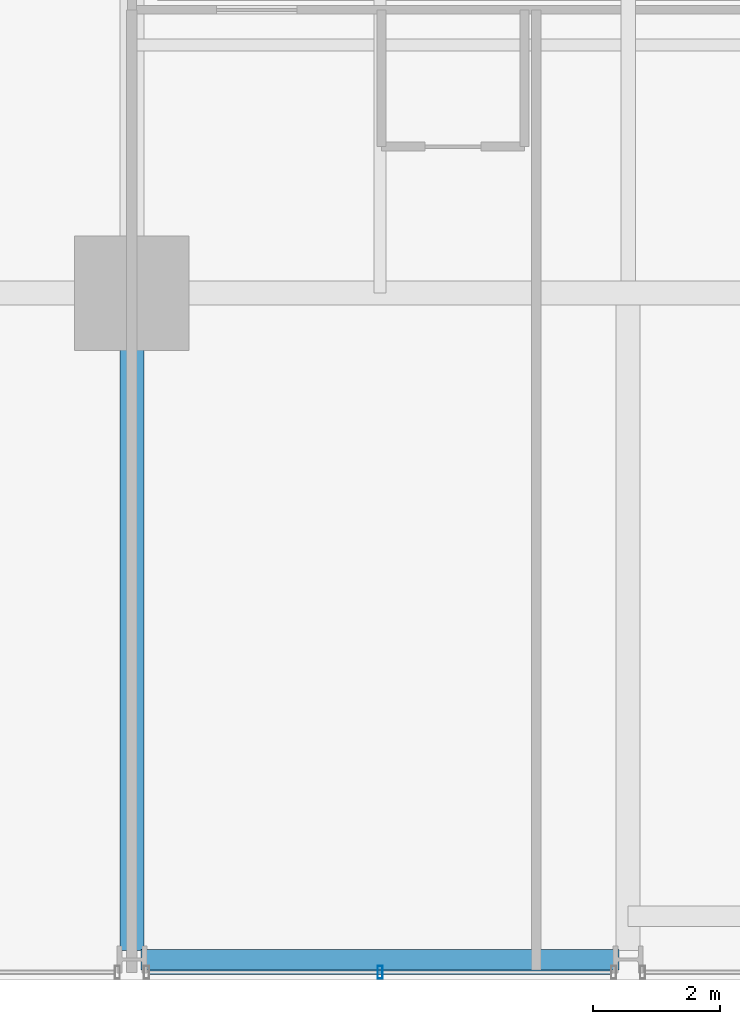
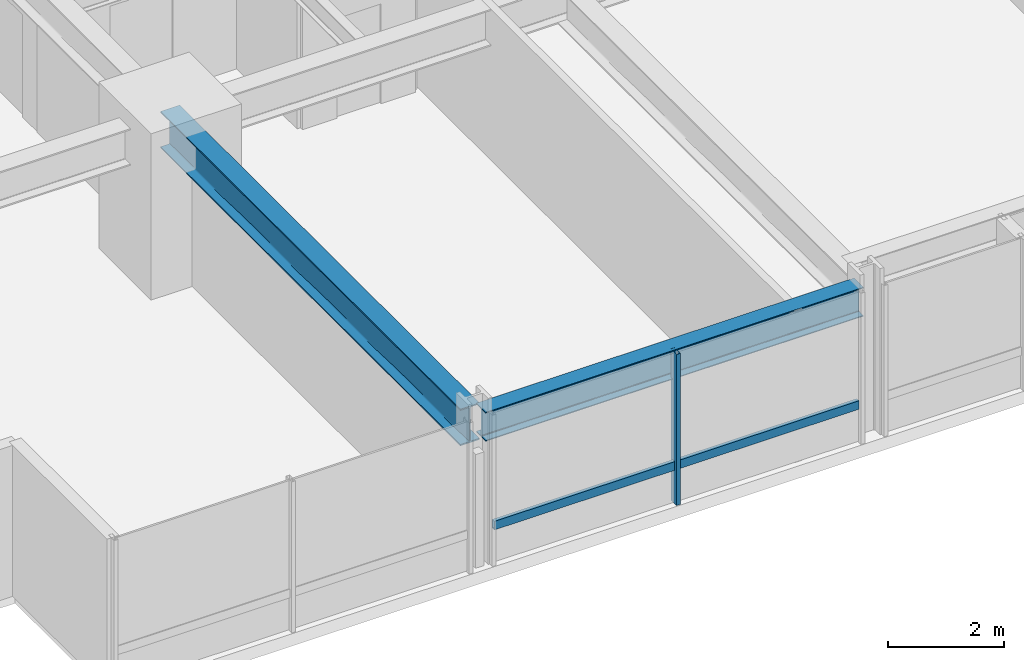
# One storey, part 3 of 37: 2 beams, 2 members, 1 element without a shape of its own.
"""IFC4 building model written with IfcOpenShell, lengths in metres."""

from ifc_helpers import new_model, si_unit, direction, frame, origin, origin_2d, place, context, subcontext, project, spatial, hollow_rectangle, i_section, extrude, material, layer, layer_set, material_profile, profile_set, type_object, element, aggregate, save


model = new_model("IFC4")

# Units and contexts
model_context = context("Model", 3, precision=1e-05, world=origin(), true_north=direction((0.0, 1.0)))
body_context = subcontext(model_context, "Body", "Model", "MODEL_VIEW")
ifc_project = project(units=[si_unit("LENGTHUNIT", "METRE"), si_unit("AREAUNIT", "SQUARE_METRE"), si_unit("VOLUMEUNIT", "CUBIC_METRE"), si_unit("PLANEANGLEUNIT", "RADIAN"), si_unit("MASSUNIT", "GRAM", prefix="KILO")], contexts=[model_context])

# Site, building, storey
site_placement = place(None, origin())
site = spatial("IfcSite", under=ifc_project, at=site_placement, CompositionType="ELEMENT")
building_placement = place(site_placement, origin())
building = spatial("IfcBuilding", under=site, at=building_placement, Name="Drelvath Grand Hotel", CompositionType="ELEMENT")
storey_placement = place(building_placement, frame((0.0, 0.0, 78.699951171875)))
storey = spatial("IfcBuildingStorey", under=building, at=storey_placement, Name="L19", CompositionType="ELEMENT", Elevation=78.699951171875)

# Curtain wall, members
ifc_material_1 = material(Name="Warm Bronze Anodised Aluminium Frame", Category="aluminium")
ifc_layer = layer(ifc_material_1, 0.199951171875)
ifc_layer_set = layer_set([ifc_layer], Name="Warm Bronze Anodised Aluminium Frame")
curtain_wall_type = type_object("IfcCurtainWallType", Name="Stick Curtain Wall CW-02 Warm Bronze Low-Rise", PredefinedType="NOTDEFINED", material=ifc_layer_set)
curtain_wall_placement = place(storey_placement, origin())
curtain_wall = element("IfcCurtainWall", 1, at=curtain_wall_placement, inside=storey, type_object=curtain_wall_type, Name="L19 CW-02 Curtain Wall CW02-L19-SW2", PredefinedType="NOTDEFINED")
ifc_material_profile_1 = material_profile(ifc_material_1, hollow_rectangle(XDim=0.074951171875, YDim=0.179931640625, WallThickness=0.0048828125, at=origin_2d()), Name="HSS180X75X5")
ifc_profile_set_1 = profile_set([ifc_material_profile_1], Name="Warm Bronze Anodised Aluminium Frame")
member_type_1 = type_object("IfcMemberType", Name="Curtain Wall Horizontal Transom CW-02 HSS180X75X5", PredefinedType="USERDEFINED", material=ifc_profile_set_1)
member_1_placement = place(storey_placement, frame((-8.669189453125, 0.1201171875, 0.795166015625), z_axis=(-1.0, 0.0, 0.0), x_axis=(0.0, -1.0, 0.0)))
member_1 = element("IfcMember", 2, at=member_1_placement, type_object=member_type_1, Name="CW02-L19-SW2 Sill Transom", ObjectType="TRANSOM", PredefinedType="USERDEFINED", context=body_context, shape_type="SweptSolid", body=[
    extrude(hollow_rectangle(XDim=0.074951171875, YDim=0.179931640625, WallThickness=0.0048828125, at=origin_2d()), origin(), (0.0, 0.0, 1.0), 7.26171875),
])
ifc_material_profile_2 = material_profile(ifc_material_1, hollow_rectangle(XDim=0.080078125, YDim=0.199951171875, WallThickness=0.0048828125, at=origin_2d()), Name="HSS200X80X5")
ifc_profile_set_2 = profile_set([ifc_material_profile_2], Name="Warm Bronze Anodised Aluminium Frame")
member_type_2 = type_object("IfcMemberType", Name="Curtain Wall Vertical Mullion CW-02 HSS200X80X5", PredefinedType="MULLION", material=ifc_profile_set_2)
member_2_placement = place(storey_placement, frame((-12.300048828125, 0.1201171875, 0.0), z_axis=(0.0, 0.0, 1.0), x_axis=(1.0, 0.0, 0.0)))
member_2 = element("IfcMember", 3, at=member_2_placement, type_object=member_type_2, Name="CW02-L19-SW2 Mullion 2", PredefinedType="MULLION", context=body_context, shape_type="SweptSolid", body=[
    extrude(hollow_rectangle(XDim=0.080078125, YDim=0.199951171875, WallThickness=0.0048828125, at=origin_2d()), origin(), (0.0, 0.0, 1.0), 3.179931640625),
])
aggregate(curtain_wall, [member_2, member_1])

# Beams
ifc_material_2 = material(Name="Steel ASTM A992 Gr 50", Category="steel")
ifc_material_profile_3 = material_profile(ifc_material_2, i_section(OverallWidth=0.323974609375, OverallDepth=0.611083984375, WebThickness=0.0126953125, FlangeThickness=0.01904296875, FilletRadius=0.02197265625, at=origin_2d()), Name="W24X104")
ifc_profile_set_3 = profile_set([ifc_material_profile_3], Name="Steel ASTM A992 Gr 50")
beam_type_1 = type_object("IfcBeamType", Name="Perimeter Spandrel Beam W24X104", PredefinedType="SPANDREL", material=ifc_profile_set_3)
beam_1_placement = place(storey_placement, frame((-16.06005859375, 0.320068359375, 2.87451171875), z_axis=(1.0, 0.0, 0.0), x_axis=(0.0, 1.0, 0.0)))
element("IfcBeam", 4, at=beam_1_placement, inside=storey, type_object=beam_type_1, Name="L19 Spandrel South W", PredefinedType="SPANDREL", context=body_context, shape_type="SweptSolid", body=[
    extrude(i_section(OverallWidth=0.323974609375, OverallDepth=0.611083984375, WebThickness=0.0126953125, FlangeThickness=0.01904296875, FilletRadius=0.02197265625, at=origin_2d()), origin(), (0.0, 0.0, 1.0), 7.52001953125),
])
ifc_material_profile_4 = material_profile(ifc_material_2, i_section(OverallWidth=0.380615234375, OverallDepth=0.773193359375, WebThickness=0.0166015625, FlangeThickness=0.027099609375, FilletRadius=0.02490234375, at=origin_2d()), Name="W30X173")
ifc_profile_set_4 = profile_set([ifc_material_profile_4], Name="Steel ASTM A992 Gr 50")
beam_type_2 = type_object("IfcBeamType", Name="Primary Floor Girder W30X173", PredefinedType="BEAM", material=ifc_profile_set_4)
beam_2_placement = place(storey_placement, frame((-16.199951171875, 0.4599609375, 2.79345703125), z_axis=(0.0, 1.0, 0.0), x_axis=(-1.0, 0.0, 0.0)))
element("IfcBeam", 5, at=beam_2_placement, inside=storey, type_object=beam_type_2, Name="L19 South Grid Girder 3", PredefinedType="BEAM", context=body_context, shape_type="SweptSolid", body=[
    extrude(i_section(OverallWidth=0.380615234375, OverallDepth=0.773193359375, WebThickness=0.0166015625, FlangeThickness=0.027099609375, FilletRadius=0.02490234375, at=origin_2d()), origin(), (0.0, 0.0, 1.0), 10.340087890625),
])

save(model, "model.ifc")
